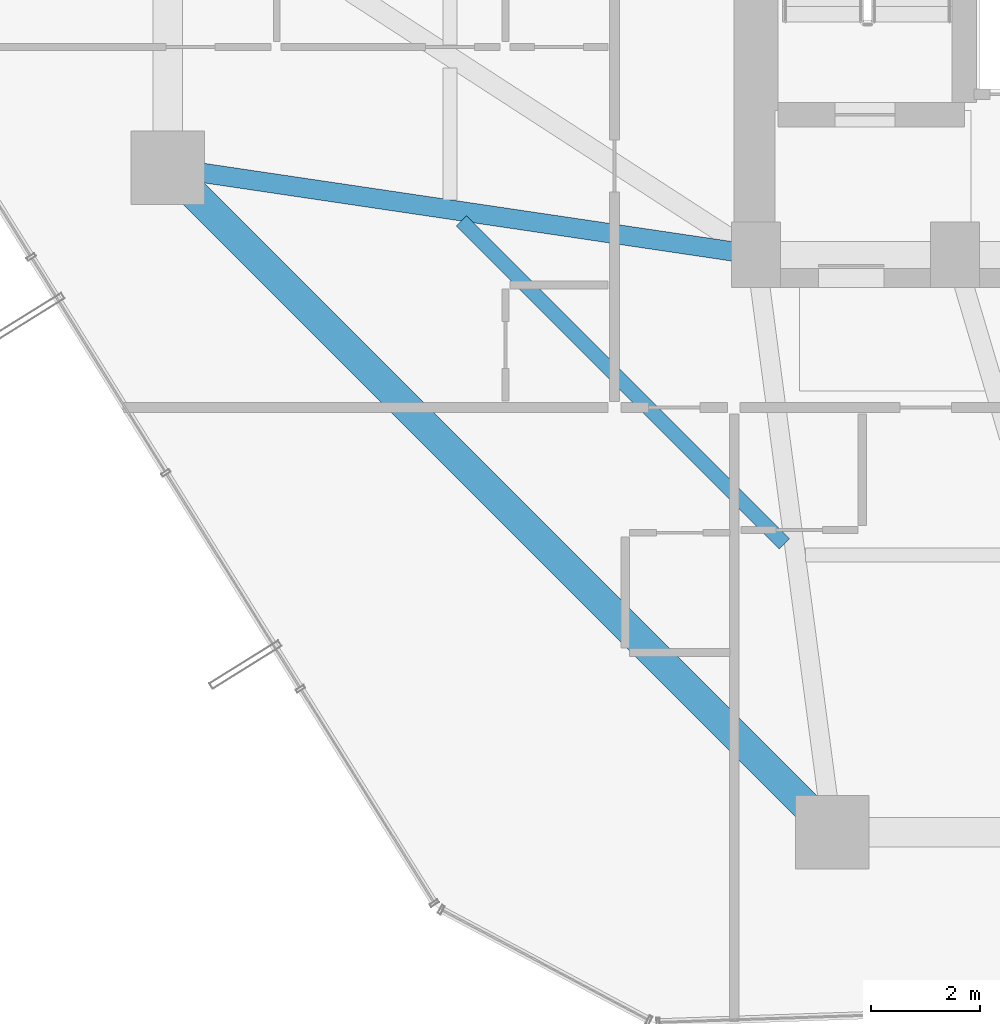
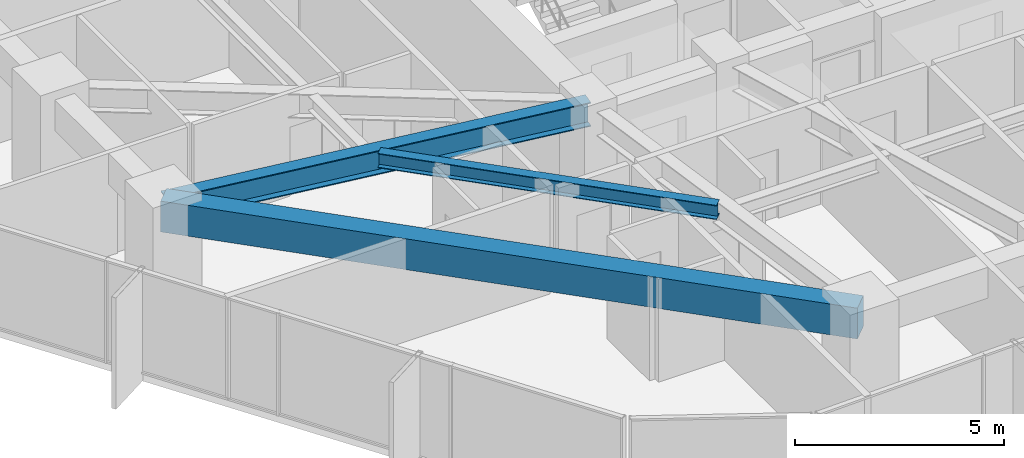
# One storey, part 5 of 39: 3 beams.
"""IFC4 building model written with IfcOpenShell, lengths in metres."""

from ifc_helpers import new_model, si_unit, direction, frame, origin, origin_2d, place, context, subcontext, project, spatial, rectangle, i_section, extrude, material, material_profile, profile_set, type_object, element, save


model = new_model("IFC4")

# Units and contexts
model_context = context("Model", 3, precision=1e-05, world=origin(), true_north=direction((0.0, 1.0)))
body_context = subcontext(model_context, "Body", "Model", "MODEL_VIEW")
ifc_project = project(units=[si_unit("LENGTHUNIT", "METRE"), si_unit("AREAUNIT", "SQUARE_METRE"), si_unit("VOLUMEUNIT", "CUBIC_METRE"), si_unit("PLANEANGLEUNIT", "RADIAN"), si_unit("MASSUNIT", "GRAM", prefix="KILO")], contexts=[model_context])

# Site, building, storey
site_placement = place(None, origin())
site = spatial("IfcSite", under=ifc_project, at=site_placement, CompositionType="ELEMENT")
building_placement = place(site_placement, origin())
building = spatial("IfcBuilding", under=site, at=building_placement, Name="Veraguas Prism Commons", CompositionType="ELEMENT")
storey_placement = place(building_placement, frame((0.0, 0.0, 30.550048828125)))
storey = spatial("IfcBuildingStorey", under=building, at=storey_placement, Name="L07", CompositionType="ELEMENT", Elevation=30.550048828125)

# Beams
ifc_material_1 = material(Name="Steel ASTM A992 Grade 50", Category="steel")
ifc_material_profile_1 = material_profile(ifc_material_1, i_section(OverallWidth=0.260986328125, OverallDepth=0.419921875, WebThickness=0.01171875, FlangeThickness=0.019287109375, at=origin_2d()), Name="W410X114")
ifc_profile_set_1 = profile_set([ifc_material_profile_1], Name="Steel ASTM A992 Grade 50")
beam_type_1 = type_object("IfcBeamType", Name="Lower Floor Joist W410x114", PredefinedType="JOIST", material=ifc_profile_set_1)
beam_1_placement = place(storey_placement, frame((11.79296875, 17.623046875, 2.7900390625), z_axis=(0.707092226423, -0.70712133565, 0.0), x_axis=(0.70712133565, 0.707092226423, 0.0)))
element("IfcBeam", 1, at=beam_1_placement, inside=storey, type_object=beam_type_1, Name="Composite Floor Joist L07-JS09", PredefinedType="JOIST", context=body_context, shape_type="SweptSolid", body=[
    extrude(i_section(OverallWidth=0.260986328125, OverallDepth=0.419921875, WebThickness=0.01171875, FlangeThickness=0.019287109375, at=origin_2d()), origin(), (0.0, 0.0, 1.0), 8.386962890625),
])
ifc_material_2 = material(Name="Concrete C50/60", Category="concrete")
ifc_material_profile_2 = material_profile(ifc_material_2, rectangle(XDim=0.550048828125, YDim=0.89990234375, at=origin_2d()), Name="RC550X900")
ifc_profile_set_2 = profile_set([ifc_material_profile_2], Name="Concrete C50/60")
beam_type_2 = type_object("IfcBeamType", Name="Perimeter Spandrel Lower RC 550x900", PredefinedType="SPANDREL", material=ifc_profile_set_2)
beam_2_placement = place(storey_placement, frame((6.39990234375, 18.60009765625, 2.550048828125), z_axis=(0.707106781187, -0.707106781187, 0.0), x_axis=(0.707106781187, 0.707106781187, 0.0)))
element("IfcBeam", 2, at=beam_2_placement, inside=storey, type_object=beam_type_2, Name="Perimeter Spandrel Beam L07-SP09", PredefinedType="SPANDREL", context=body_context, shape_type="SweptSolid", body=[
    extrude(rectangle(XDim=0.550048828125, YDim=0.89990234375, at=origin_2d()), origin(), (0.0, 0.0, 1.0), 17.253662109375),
])
ifc_material_profile_3 = material_profile(ifc_material_1, i_section(OverallWidth=0.35595703125, OverallDepth=0.700927734375, WebThickness=0.016845703125, FlangeThickness=0.02734375, at=origin_2d()), Name="W690X240")
ifc_profile_set_3 = profile_set([ifc_material_profile_3], Name="Steel ASTM A992 Grade 50")
beam_type_3 = type_object("IfcBeamType", Name="Zone 1 Radial Girder W690x240", PredefinedType="BEAM", material=ifc_profile_set_3)
beam_3_placement = place(storey_placement, frame((6.39990234375, 18.60009765625, 2.6494140625), z_axis=(0.989202261707, -0.146556765224, 0.0), x_axis=(0.146556765224, 0.989202261707, 0.0)))
element("IfcBeam", 3, at=beam_3_placement, inside=storey, type_object=beam_type_3, Name="Radial Floor Girder L07-RD09", PredefinedType="BEAM", context=body_context, shape_type="SweptSolid", body=[
    extrude(i_section(OverallWidth=0.35595703125, OverallDepth=0.700927734375, WebThickness=0.016845703125, FlangeThickness=0.02734375, at=origin_2d()), origin(), (0.0, 0.0, 1.0), 10.91796875),
])

save(model, "model.ifc")
